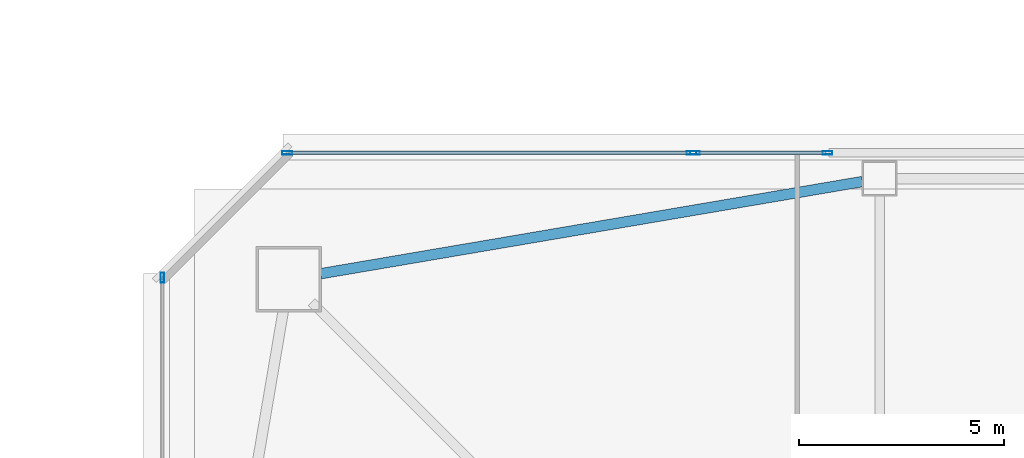
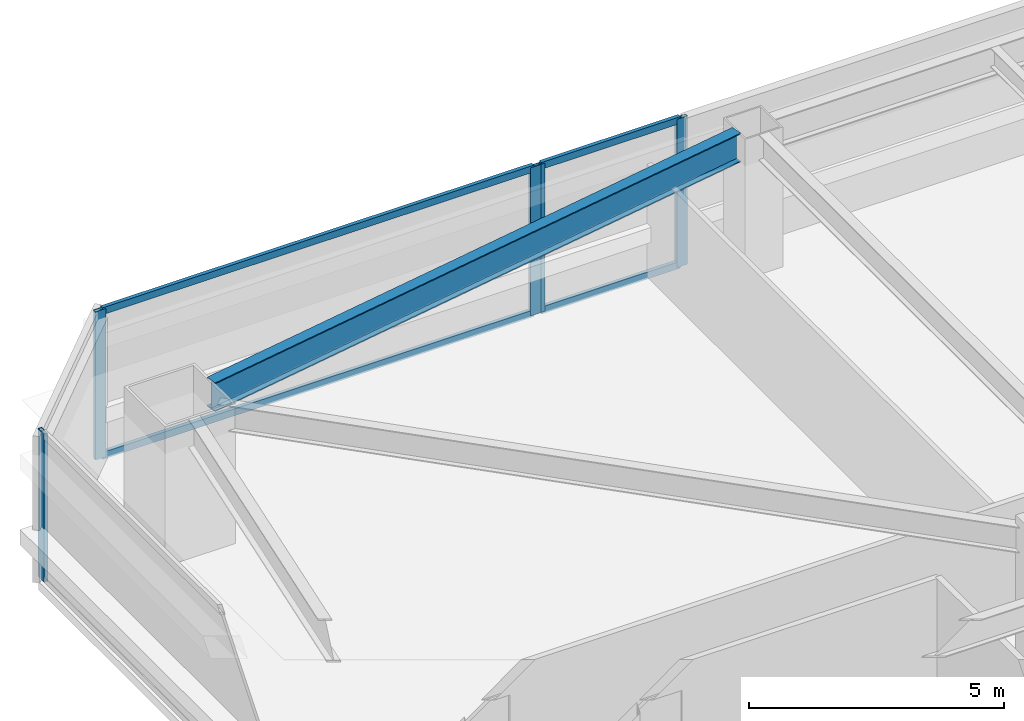
# One storey, part 15 of 62: 9 members, 1 beam, 3 elements without a shape of their own.
"""IFC4 building model written with IfcOpenShell, lengths in metres."""

from ifc_helpers import new_model, si_unit, direction, frame, origin, origin_2d, place, context, subcontext, project, spatial, hollow_rectangle, i_section, extrude, material, material_profile, profile_set, type_object, element, aggregate, save


model = new_model("IFC4")

# Units and contexts
model_context = context("Model", 3, precision=1e-05, world=origin(), true_north=direction((0.0, 1.0)))
body_context = subcontext(model_context, "Body", "Model", "MODEL_VIEW")
ifc_project = project(units=[si_unit("LENGTHUNIT", "METRE"), si_unit("AREAUNIT", "SQUARE_METRE"), si_unit("VOLUMEUNIT", "CUBIC_METRE"), si_unit("PLANEANGLEUNIT", "RADIAN"), si_unit("MASSUNIT", "GRAM", prefix="KILO")], contexts=[model_context])

# Site, building, storey
site_placement = place(None, origin())
site = spatial("IfcSite", under=ifc_project, at=site_placement, CompositionType="ELEMENT")
building_placement = place(site_placement, origin())
building = spatial("IfcBuilding", under=site, at=building_placement, Name="Tashvorn Skyway Center", CompositionType="ELEMENT")
storey_placement = place(building_placement, frame((0.0, 0.0, 28.14990234375)))
storey = spatial("IfcBuildingStorey", under=building, at=storey_placement, Name="L06", CompositionType="ELEMENT", Elevation=28.14990234375)

# Beam
ifc_material_1 = material(Name="Steel ASTM A992 Grade 50", Category="steel")
ifc_material_profile_1 = material_profile(ifc_material_1, i_section(OverallWidth=0.256103515625, OverallDepth=0.693115234375, WebThickness=0.014404296875, FlangeThickness=0.023681640625, at=origin_2d()), Name="W27X114")
ifc_profile_set_1 = profile_set([ifc_material_profile_1], Name="Steel ASTM A992 Grade 50")
beam_type = type_object("IfcBeamType", Name="BM-SPANDREL-W27X114", PredefinedType="SPANDREL", material=ifc_profile_set_1)
beam_placement = place(storey_placement, frame((36.18603515625, 54.179443359375, 3.003662109375), z_axis=(-0.985835025551, -0.16771792509, 0.0), x_axis=(0.16771792509, -0.985835025551, 0.0)))
element("IfcBeam", 1, at=beam_placement, inside=storey, type_object=beam_type, Name="Tower 1 L06 Spandrel Beam 09", PredefinedType="SPANDREL", context=body_context, shape_type="SweptSolid", body=[
    extrude(i_section(OverallWidth=0.256103515625, OverallDepth=0.693115234375, WebThickness=0.014404296875, FlangeThickness=0.023681640625, at=origin_2d()), origin(), (0.0, 0.0, 1.0), 13.39208984375),
])

# Curtain wall, member
ifc_material_2 = material(Name="Thermally broken bronze-anodized aluminium 6063-T6", Category="aluminium")
curtain_wall_type = type_object("IfcCurtainWallType", Name="CW-CW-Z1", PredefinedType="NOTDEFINED", material=ifc_material_2)
curtain_wall_1_placement = place(storey_placement, origin())
curtain_wall_1 = element("IfcCurtainWall", 2, at=curtain_wall_1_placement, inside=storey, type_object=curtain_wall_type, Name="Tower 1 L06 West Unitised Curtain Wall Glazing Group 4", PredefinedType="NOTDEFINED")
ifc_material_profile_2 = material_profile(ifc_material_2, hollow_rectangle(XDim=0.0849609375, YDim=0.239990234375, WallThickness=0.0048828125, at=origin_2d()), Name="ALU-MULL-85x240")
ifc_profile_set_2 = profile_set([ifc_material_profile_2], Name="Thermally broken bronze-anodized aluminium 6063-T6")
member_type_1 = type_object("IfcMemberType", Name="CWM-CW-Z1", PredefinedType="MULLION", material=ifc_profile_set_2)
member_1_placement = place(storey_placement, frame((19.1201171875, 51.83740234375, 0.0), z_axis=(0.0, 0.0, 1.0), x_axis=(-1.0, 0.0, 0.0)))
member_1 = element("IfcMember", 3, at=member_1_placement, type_object=member_type_1, Name="CW-Z1 mullion 2", PredefinedType="MULLION", context=body_context, shape_type="SweptSolid", body=[
    extrude(hollow_rectangle(XDim=0.0849609375, YDim=0.239990234375, WallThickness=0.0048828125, at=origin_2d()), origin(), (0.0, 0.0, 1.0), 3.550048828125),
])
aggregate(curtain_wall_1, [member_1])

# Curtain wall, members
curtain_wall_2_placement = place(storey_placement, origin())
curtain_wall_2 = element("IfcCurtainWall", 4, at=curtain_wall_2_placement, inside=storey, type_object=curtain_wall_type, Name="Tower 1 L06 North Unitised Curtain Wall Glazing Group 1", PredefinedType="NOTDEFINED")
member_2_placement = place(storey_placement, frame((22.16259765625, 54.8798828125, 0.0), z_axis=(0.0, 0.0, 1.0), x_axis=(0.0, 1.0, 0.0)))
member_2 = element("IfcMember", 5, at=member_2_placement, type_object=member_type_1, Name="CW-Z1 mullion 1", PredefinedType="MULLION", context=body_context, shape_type="SweptSolid", body=[
    extrude(hollow_rectangle(XDim=0.0849609375, YDim=0.239990234375, WallThickness=0.0048828125, at=origin_2d()), origin(), (0.0, 0.0, 1.0), 3.550048828125),
])
member_3_placement = place(storey_placement, frame((32.017578125, 54.8798828125, 0.0), z_axis=(0.0, 0.0, 1.0), x_axis=(0.0, 1.0, 0.0)))
member_3 = element("IfcMember", 6, at=member_3_placement, type_object=member_type_1, Name="CW-Z1 mullion 2", PredefinedType="MULLION", context=body_context, shape_type="SweptSolid", body=[
    extrude(hollow_rectangle(XDim=0.0849609375, YDim=0.239990234375, WallThickness=0.0048828125, at=origin_2d()), origin(), (0.0, 0.0, 1.0), 3.550048828125),
])

curtain_wall_3_placement = place(storey_placement, origin())
curtain_wall_3 = element("IfcCurtainWall", 7, at=curtain_wall_3_placement, inside=storey, type_object=curtain_wall_type, Name="Tower 1 L06 North Unitised Curtain Wall Glazing Group 2", PredefinedType="NOTDEFINED")
member_4_placement = place(storey_placement, frame((32.1025390625, 54.8798828125, 0.0), z_axis=(0.0, 0.0, 1.0), x_axis=(0.0, 1.0, 0.0)))
member_4 = element("IfcMember", 8, at=member_4_placement, type_object=member_type_1, Name="CW-Z1 mullion 1", PredefinedType="MULLION", context=body_context, shape_type="SweptSolid", body=[
    extrude(hollow_rectangle(XDim=0.0849609375, YDim=0.239990234375, WallThickness=0.0048828125, at=origin_2d()), origin(), (0.0, 0.0, 1.0), 3.550048828125),
])
member_5_placement = place(storey_placement, frame((35.330810546875, 54.8798828125, 0.0), z_axis=(0.0, 0.0, 1.0), x_axis=(0.0, 1.0, 0.0)))
member_5 = element("IfcMember", 9, at=member_5_placement, type_object=member_type_1, Name="CW-Z1 mullion 2", PredefinedType="MULLION", context=body_context, shape_type="SweptSolid", body=[
    extrude(hollow_rectangle(XDim=0.0849609375, YDim=0.239990234375, WallThickness=0.0048828125, at=origin_2d()), origin(), (0.0, 0.0, 1.0), 3.550048828125),
])

# Member
ifc_material_profile_3 = material_profile(ifc_material_2, hollow_rectangle(XDim=0.0849609375, YDim=0.1650390625, WallThickness=0.0048828125, at=origin_2d()), Name="ALU-TRAN-85x165")
ifc_profile_set_3 = profile_set([ifc_material_profile_3], Name="Thermally broken bronze-anodized aluminium 6063-T6")
member_type_2 = type_object("IfcMemberType", Name="CWT-CW-Z1", PredefinedType="USERDEFINED", material=ifc_profile_set_3)
member_6_placement = place(storey_placement, frame((22.205078125, 54.8798828125, 0.04248046875), z_axis=(1.0, 0.0, 0.0), x_axis=(0.0, 1.0, 0.0)))
member_6 = element("IfcMember", 10, at=member_6_placement, type_object=member_type_2, Name="CW-Z1 transom 1.1", ObjectType="TRANSOM", PredefinedType="USERDEFINED", context=body_context, shape_type="SweptSolid", body=[
    extrude(hollow_rectangle(XDim=0.0849609375, YDim=0.1650390625, WallThickness=0.0048828125, at=origin_2d()), origin(), (0.0, 0.0, 1.0), 9.77001953125),
])

member_7_placement = place(storey_placement, frame((22.205078125, 54.8798828125, 3.507568359375), z_axis=(1.0, 0.0, 0.0), x_axis=(0.0, 1.0, 0.0)))
member_7 = element("IfcMember", 11, at=member_7_placement, type_object=member_type_2, Name="CW-Z1 transom 1.2", ObjectType="TRANSOM", PredefinedType="USERDEFINED", context=body_context, shape_type="SweptSolid", body=[
    extrude(hollow_rectangle(XDim=0.0849609375, YDim=0.1650390625, WallThickness=0.0048828125, at=origin_2d()), origin(), (0.0, 0.0, 1.0), 9.77001953125),
])

aggregate(curtain_wall_2, [member_2, member_3, member_6, member_7])

member_8_placement = place(storey_placement, frame((32.14501953125, 54.8798828125, 0.04248046875), z_axis=(1.0, 0.0, 0.0), x_axis=(0.0, 1.0, 0.0)))
member_8 = element("IfcMember", 12, at=member_8_placement, type_object=member_type_2, Name="CW-Z1 transom 1.1", ObjectType="TRANSOM", PredefinedType="USERDEFINED", context=body_context, shape_type="SweptSolid", body=[
    extrude(hollow_rectangle(XDim=0.0849609375, YDim=0.1650390625, WallThickness=0.0048828125, at=origin_2d()), origin(), (0.0, 0.0, 1.0), 3.143310546875),
])

member_9_placement = place(storey_placement, frame((32.14501953125, 54.8798828125, 3.507568359375), z_axis=(1.0, 0.0, 0.0), x_axis=(0.0, 1.0, 0.0)))
member_9 = element("IfcMember", 13, at=member_9_placement, type_object=member_type_2, Name="CW-Z1 transom 1.2", ObjectType="TRANSOM", PredefinedType="USERDEFINED", context=body_context, shape_type="SweptSolid", body=[
    extrude(hollow_rectangle(XDim=0.0849609375, YDim=0.1650390625, WallThickness=0.0048828125, at=origin_2d()), origin(), (0.0, 0.0, 1.0), 3.143310546875),
])

aggregate(curtain_wall_3, [member_4, member_5, member_8, member_9])

save(model, "model.ifc")
